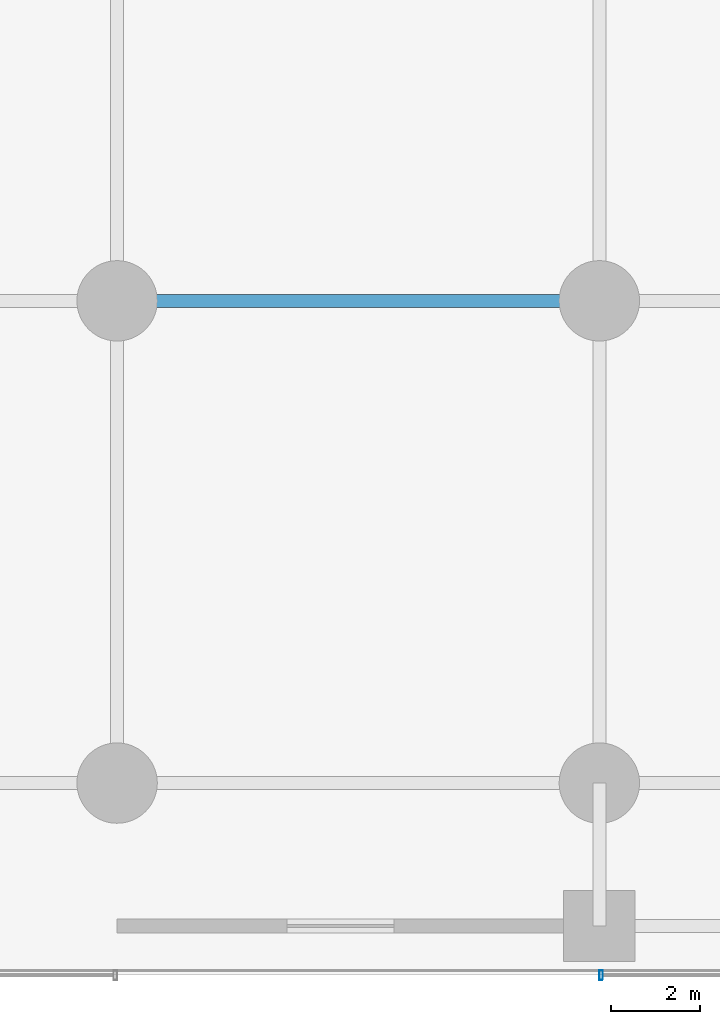
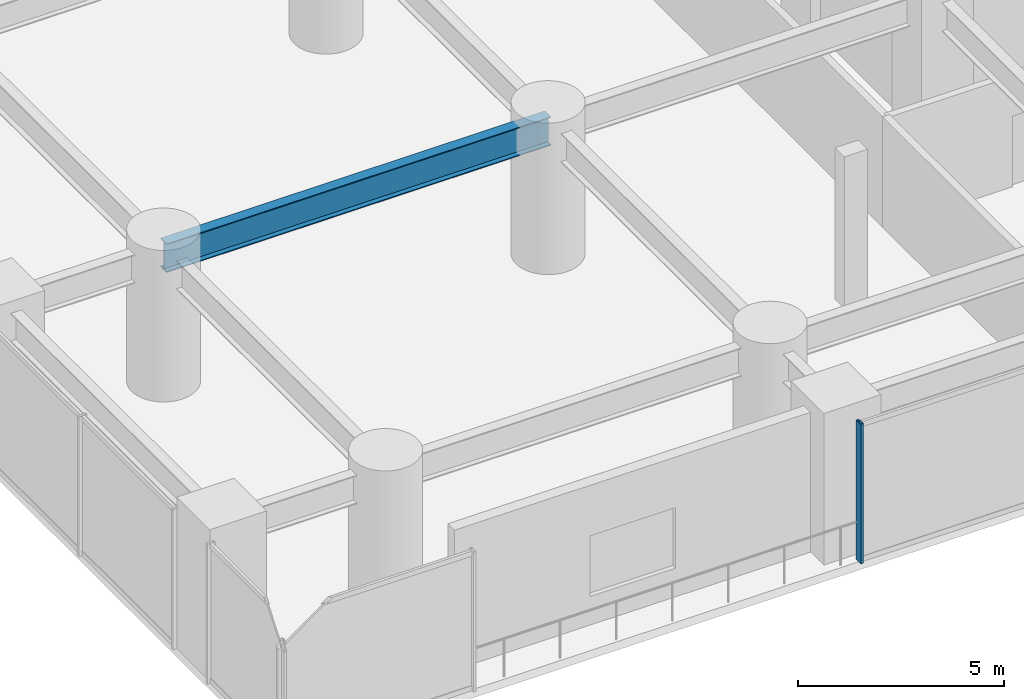
# One storey, part 4 of 35: 1 beam, 1 member, 1 element without a shape of its own.
"""IFC4 building model written with IfcOpenShell, lengths in metres."""

from ifc_helpers import new_model, si_unit, direction, frame, origin, origin_2d, place, context, subcontext, project, spatial, hollow_rectangle, i_section, extrude, material, layer, layer_set, material_profile, profile_set, type_object, element, aggregate, save


model = new_model("IFC4")

# Units and contexts
model_context = context("Model", 3, precision=1e-05, world=origin(), true_north=direction((0.0, 1.0)))
body_context = subcontext(model_context, "Body", "Model", "MODEL_VIEW")
ifc_project = project(units=[si_unit("LENGTHUNIT", "METRE"), si_unit("AREAUNIT", "SQUARE_METRE"), si_unit("VOLUMEUNIT", "CUBIC_METRE"), si_unit("PLANEANGLEUNIT", "RADIAN"), si_unit("MASSUNIT", "GRAM", prefix="KILO")], contexts=[model_context])

# Site, building, storey
site_placement = place(None, origin())
site = spatial("IfcSite", under=ifc_project, at=site_placement, CompositionType="ELEMENT")
building_placement = place(site_placement, origin())
building = spatial("IfcBuilding", under=site, at=building_placement, Name="Surkhivell Harbour Commons", CompositionType="ELEMENT")
storey_placement = place(building_placement, frame((0.0, 0.0, 13.5)))
storey = spatial("IfcBuildingStorey", under=building, at=storey_placement, Name="L03", CompositionType="ELEMENT", Elevation=13.5)

# Beam
ifc_material_1 = material(Name="Steel S460", Category="steel")
ifc_material_profile_1 = material_profile(ifc_material_1, i_section(OverallWidth=0.2939453125, OverallDepth=0.85107421875, WebThickness=0.01611328125, FlangeThickness=0.02685546875, at=origin_2d()), Name="UB838x292x226")
ifc_profile_set_1 = profile_set([ifc_material_profile_1], Name="Steel S460")
beam_type = type_object("IfcBeamType", Name="BM-SPN-838", PredefinedType="SPANDREL", material=ifc_profile_set_1)
beam_placement = place(storey_placement, frame((-32.39990234375, -10.800048828125, 3.724609375), z_axis=(1.0, 0.0, 0.0), x_axis=(0.0, 1.0, 0.0)))
element("IfcBeam", 1, at=beam_placement, inside=storey, type_object=beam_type, Name="L03 Framing Beam (-32.4,-10.8)", PredefinedType="SPANDREL", context=body_context, shape_type="SweptSolid", body=[
    extrude(i_section(OverallWidth=0.2939453125, OverallDepth=0.85107421875, WebThickness=0.01611328125, FlangeThickness=0.02685546875, at=origin_2d()), origin(), (0.0, 0.0, 1.0), 10.7998046875),
])

# Curtain wall, member
ifc_material_2 = material(Name="Anodised pale-metal aluminium and insulated glazing", Category="aluminium")
ifc_layer = layer(ifc_material_2, 0.239990234375)
ifc_layer_set = layer_set([ifc_layer], Name="Anodised pale-metal aluminium and insulated glazing")
curtain_wall_type = type_object("IfcCurtainWallType", Name="CW-SYS-POD", PredefinedType="NOTDEFINED", material=ifc_layer_set)
curtain_wall_placement = place(storey_placement, origin())
curtain_wall = element("IfcCurtainWall", 2, at=curtain_wall_placement, inside=storey, type_object=curtain_wall_type, Name="L03 Curtain Wall CW-L03-S3", PredefinedType="NOTDEFINED")
ifc_material_3 = material(Name="Anodised pale-metal aluminium alloy 6063-T6", Category="aluminium")
ifc_material_profile_2 = material_profile(ifc_material_3, hollow_rectangle(XDim=0.074951171875, YDim=0.219970703125, WallThickness=0.00390625, at=origin_2d()), Name="ALU-MULL-75x220")
ifc_profile_set_2 = profile_set([ifc_material_profile_2], Name="Anodised pale-metal aluminium alloy 6063-T6")
member_type = type_object("IfcMemberType", Name="CWM-220", PredefinedType="MULLION", material=ifc_profile_set_2)
member_placement = place(storey_placement, frame((-21.5625, -25.89990234375, 0.0), z_axis=(0.0, 0.0, 1.0), x_axis=(-1.0, 0.0, 0.0)))
member = element("IfcMember", 3, at=member_placement, type_object=member_type, Name="CW-POD mullion 3", PredefinedType="MULLION", context=body_context, shape_type="SweptSolid", body=[
    extrude(hollow_rectangle(XDim=0.074951171875, YDim=0.219970703125, WallThickness=0.00390625, at=origin_2d()), origin(), (0.0, 0.0, 1.0), 4.14990234375),
])
aggregate(curtain_wall, [member])

save(model, "model.ifc")
